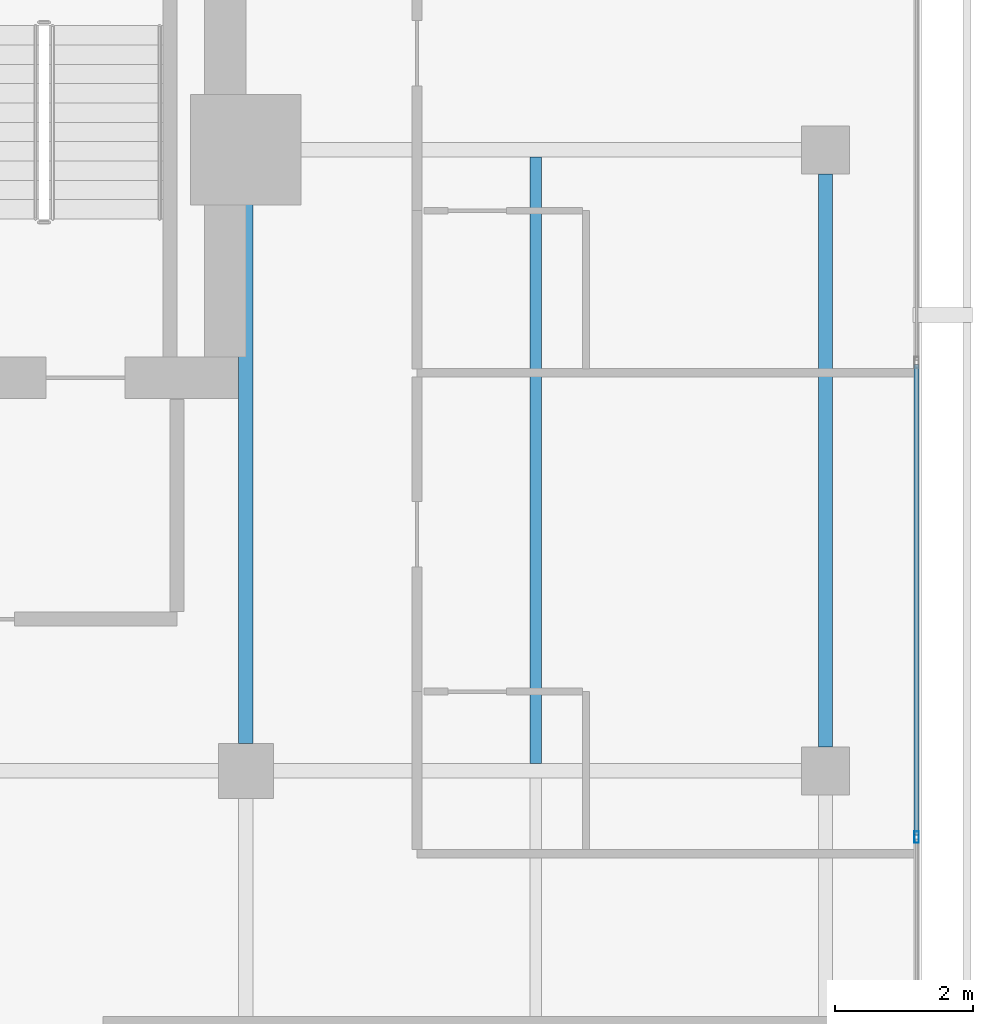
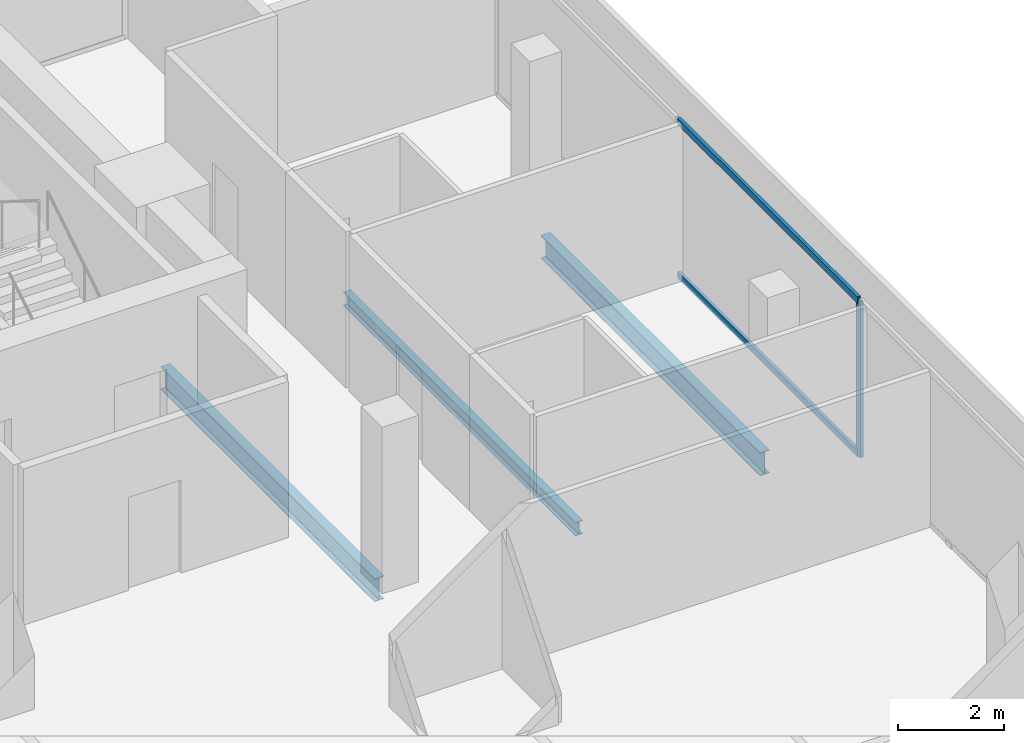
# One storey, part 15 of 25: 3 beams, 3 members, 1 element without a shape of its own.
"""IFC4 building model written with IfcOpenShell, lengths in metres."""

from ifc_helpers import new_model, si_unit, direction, frame, origin, origin_2d, place, context, subcontext, project, spatial, hollow_rectangle, i_section, extrude, material, layer, layer_set, material_profile, profile_set, type_object, element, aggregate, save


model = new_model("IFC4")

# Units and contexts
model_context = context("Model", 3, precision=1e-05, world=origin(), true_north=direction((0.0, 1.0)))
body_context = subcontext(model_context, "Body", "Model", "MODEL_VIEW")
ifc_project = project(units=[si_unit("LENGTHUNIT", "METRE"), si_unit("AREAUNIT", "SQUARE_METRE"), si_unit("VOLUMEUNIT", "CUBIC_METRE"), si_unit("PLANEANGLEUNIT", "RADIAN"), si_unit("MASSUNIT", "GRAM", prefix="KILO")], contexts=[model_context])

# Site, building, storey
site_placement = place(None, origin())
site = spatial("IfcSite", under=ifc_project, at=site_placement, CompositionType="ELEMENT")
building_placement = place(site_placement, origin())
building = spatial("IfcBuilding", under=site, at=building_placement, Name="Maruvema Waterfront Hotel and Observation Tower", CompositionType="ELEMENT")
storey_placement = place(building_placement, frame((0.0, 0.0, 270.199951171875)))
storey = spatial("IfcBuildingStorey", under=building, at=storey_placement, Name="L66", CompositionType="ELEMENT", Elevation=270.199951171875)

# Curtain wall, members
ifc_material_1 = material(Name="Anodised bronze aluminium and solar-control low-E IGU", Category="aluminium")
ifc_layer = layer(ifc_material_1, 0.159912109375, Name="Zone 3 Champagne Inner Thermal Curtain Wall System CW-04")
ifc_layer_set = layer_set([ifc_layer], Name="Anodised bronze aluminium and solar-control low-E IGU")
curtain_wall_type = type_object("IfcCurtainWallType", Name="Zone 3 Champagne Inner Thermal Curtain Wall System CW-04", PredefinedType="USERDEFINED", material=ifc_layer_set)
curtain_wall_placement = place(storey_placement, origin())
curtain_wall = element("IfcCurtainWall", 1, at=curtain_wall_placement, inside=storey, type_object=curtain_wall_type, Name="L66 Curtain Wall CW-L66-E", ObjectType="UNITISED CURTAIN WALL", PredefinedType="USERDEFINED")
ifc_material_2 = material(Name="Anodised architectural bronze aluminium", Category="aluminium")
ifc_material_profile_1 = material_profile(ifc_material_2, hollow_rectangle(XDim=0.070068359375, YDim=0.14990234375, WallThickness=0.00390625, at=origin_2d()), Name="ALU-T70x150")
ifc_profile_set_1 = profile_set([ifc_material_profile_1], Name="Anodised architectural bronze aluminium")
member_type_1 = type_object("IfcMemberType", Name="Curtain Wall Horizontal Transom ALU-T70x150", PredefinedType="USERDEFINED", material=ifc_profile_set_1)
member_1_placement = place(storey_placement, frame((60.1201171875, 35.070068359375, 0.030029296875), z_axis=(0.0, 1.0, 0.0), x_axis=(-1.0, 0.0, 0.0)))
member_1 = element("IfcMember", 2, at=member_1_placement, type_object=member_type_1, Name="CW-04 transom 4.1", ObjectType="TRANSOM", PredefinedType="USERDEFINED", context=body_context, shape_type="SweptSolid", body=[
    extrude(hollow_rectangle(XDim=0.070068359375, YDim=0.14990234375, WallThickness=0.00390625, at=origin_2d()), origin(), (0.0, 0.0, 1.0), 6.81982421875),
])
member_2_placement = place(storey_placement, frame((60.1201171875, 35.070068359375, 3.580078125), z_axis=(0.0, 1.0, 0.0), x_axis=(-1.0, 0.0, 0.0)))
member_2 = element("IfcMember", 3, at=member_2_placement, type_object=member_type_1, Name="CW-04 transom 4.2", ObjectType="TRANSOM", PredefinedType="USERDEFINED", context=body_context, shape_type="SweptSolid", body=[
    extrude(hollow_rectangle(XDim=0.070068359375, YDim=0.14990234375, WallThickness=0.00390625, at=origin_2d()), origin(), (0.0, 0.0, 1.0), 6.81982421875),
])
ifc_material_3 = material(Name="Anodised architectural bronze aluminium", Category="aluminium")
ifc_material_profile_2 = material_profile(ifc_material_3, hollow_rectangle(XDim=0.06494140625, YDim=0.1650390625, WallThickness=0.00390625, at=origin_2d()), Name="ALU-M65x165")
ifc_profile_set_2 = profile_set([ifc_material_profile_2], Name="Anodised architectural bronze aluminium")
member_type_2 = type_object("IfcMemberType", Name="Curtain Wall Primary Mullion ALU-M65x165", PredefinedType="MULLION", material=ifc_profile_set_2)
member_3_placement = place(storey_placement, frame((60.1201171875, 35.0400390625, 0.0), z_axis=(0.0, 0.0, 1.0), x_axis=(-1.0, 0.0, 0.0)))
member_3 = element("IfcMember", 4, at=member_3_placement, type_object=member_type_2, Name="CW-04 mullion 4", PredefinedType="MULLION", context=body_context, shape_type="SweptSolid", body=[
    extrude(hollow_rectangle(XDim=0.06494140625, YDim=0.1650390625, WallThickness=0.00390625, at=origin_2d()), origin(), (0.0, 0.0, 1.0), 3.610107421875),
])
aggregate(curtain_wall, [member_3, member_1, member_2])

# Beams
ifc_material_4 = material(Name="Steel ASTM A572 Grade 50", Category="steel")
ifc_material_profile_3 = material_profile(ifc_material_4, i_section(OverallWidth=0.208984375, OverallDepth=0.532958984375, WebThickness=0.01025390625, FlangeThickness=0.015625, FilletRadius=0.014892578125, at=origin_2d()), Name="W530x92.0")
ifc_profile_set_3 = profile_set([ifc_material_profile_3], Name="Steel ASTM A572 Grade 50")
beam_type_1 = type_object("IfcBeamType", Name="Primary Floor Girder W530x92.0", PredefinedType="BEAM", material=ifc_profile_set_3)
beam_1_placement = place(storey_placement, frame((50.39990234375, 36.39990234375, -0.50634765625), z_axis=(0.0, 1.0, 0.0), x_axis=(-1.0, 0.0, 0.0)))
element("IfcBeam", 5, at=beam_1_placement, inside=storey, type_object=beam_type_1, Name="L66 Floor Girder NS-15", PredefinedType="BEAM", context=body_context, shape_type="SweptSolid", body=[
    extrude(i_section(OverallWidth=0.208984375, OverallDepth=0.532958984375, WebThickness=0.01025390625, FlangeThickness=0.015625, FilletRadius=0.014892578125, at=origin_2d()), origin(), (0.0, 0.0, 1.0), 8.10009765625),
])
beam_2_placement = place(storey_placement, frame((58.800048828125, 36.35009765625, -0.50634765625), z_axis=(0.0, 1.0, 0.0), x_axis=(-1.0, 0.0, 0.0)))
element("IfcBeam", 6, at=beam_2_placement, inside=storey, type_object=beam_type_1, Name="L66 Floor Girder NS-18", PredefinedType="BEAM", context=body_context, shape_type="SweptSolid", body=[
    extrude(i_section(OverallWidth=0.208984375, OverallDepth=0.532958984375, WebThickness=0.01025390625, FlangeThickness=0.015625, FilletRadius=0.014892578125, at=origin_2d()), origin(), (0.0, 0.0, 1.0), 8.2998046875),
])
ifc_material_5 = material(Name="Steel ASTM A572 Grade 50", Category="steel")
ifc_material_profile_4 = material_profile(ifc_material_5, i_section(OverallWidth=0.1650390625, OverallDepth=0.31005859375, WebThickness=0.005859375, FlangeThickness=0.009765625, FilletRadius=0.012939453125, at=origin_2d()), Name="W310x38.7")
ifc_profile_set_4 = profile_set([ifc_material_profile_4], Name="Steel ASTM A572 Grade 50")
beam_type_2 = type_object("IfcBeamType", Name="Secondary Floor Joist W310x38.7", PredefinedType="JOIST", material=ifc_profile_set_4)
beam_3_placement = place(storey_placement, frame((54.60009765625, 36.1044921875, -0.39501953125), z_axis=(0.0, 1.0, 0.0), x_axis=(-1.0, 0.0, 0.0)))
element("IfcBeam", 7, at=beam_3_placement, inside=storey, type_object=beam_type_2, Name="L66 Secondary Floor Joist JS-09", PredefinedType="JOIST", context=body_context, shape_type="SweptSolid", body=[
    extrude(i_section(OverallWidth=0.1650390625, OverallDepth=0.31005859375, WebThickness=0.005859375, FlangeThickness=0.009765625, FilletRadius=0.012939453125, at=origin_2d()), origin(), (0.0, 0.0, 1.0), 8.791015625),
])

save(model, "model.ifc")
